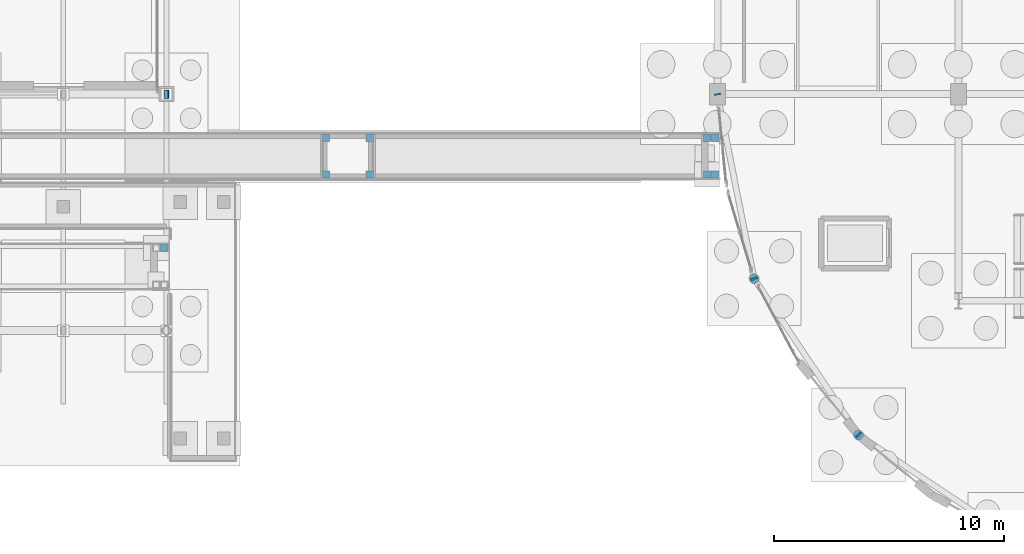
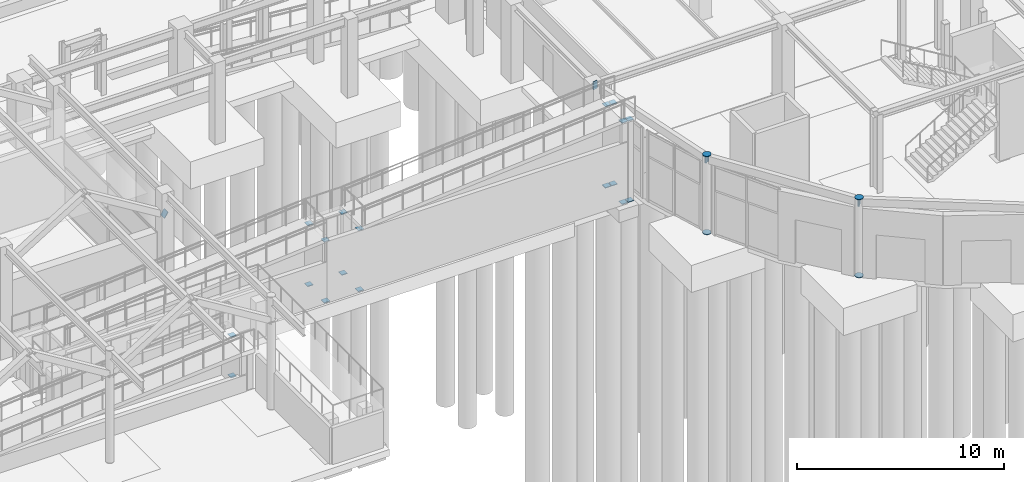
# One storey, part 121 of 160: 28 discrete accessories.
"""IFC4 building model written with IfcOpenShell, lengths in metres."""

import ifcopenshell
import ifcopenshell.guid

model = None  # the IFC model being written
_history = None  # IfcOwnerHistory: only IFC2X3 demands one
_inside = {}  # id of a spatial element -> (the spatial element, [elements in it])
_under = {}  # id of a project, library or spatial element -> (it, [spatial elements below it])
_declared = {}  # id of a project -> (the project, [libraries it declares])
_typed = {}  # id of a type object -> (the type object, [elements of that type])
_made_of = {}  # id of a material, layer set ... -> (it, [elements and type objects made of it])


def new_model(schema):
    """Start an empty IFC model of exactly this schema.

    Asked for "IFC4X3", IfcOpenShell would pick the latest addendum, in which some entities
    have other attributes; the version numbers below select the first issue.
    IFC2X3 requires an IfcOwnerHistory on every rooted entity: one is made here for all.
    """
    global model, _history
    if schema == "IFC4X3":
        model = ifcopenshell.file(schema_version=(4, 3, 0, 0))
    else:
        model = ifcopenshell.file(schema=schema)
    _inside.clear()
    _under.clear()
    _declared.clear()
    _typed.clear()
    _made_of.clear()
    _history = None
    if model.schema == "IFC2X3":
        org = make("IfcOrganization", Name="unknown")
        user = make(
            "IfcPersonAndOrganization",
            ThePerson=make("IfcPerson", FamilyName="unknown"),
            TheOrganization=org,
        )
        app = make(
            "IfcApplication",
            ApplicationDeveloper=org,
            Version="unknown",
            ApplicationFullName="unknown",
            ApplicationIdentifier="unknown",
        )
        _history = make(
            "IfcOwnerHistory",
            OwningUser=user,
            OwningApplication=app,
            ChangeAction="ADDED",
            CreationDate=0,
        )
    return model


def make(cls, **values):
    """One entity of the class cls with the attributes given. An attribute that is None is left unset."""
    return model.create_entity(
        cls, **{name: value for name, value in values.items() if value is not None}
    )


def rooted(cls, **values):
    """An entity with a GlobalId (a new one), such as an element, a storey or a relation."""
    return make(cls, GlobalId=ifcopenshell.guid.new(), OwnerHistory=_history, **values)


def si_unit(unit_type, name, prefix=None):
    """IfcSIUnit, for example si_unit("LENGTHUNIT", "METRE", prefix="MILLI")."""
    return make("IfcSIUnit", UnitType=unit_type, Prefix=prefix, Name=name)


def assignment(units):
    """IfcUnitAssignment: the units of a project."""
    return None if units is None else make("IfcUnitAssignment", Units=units)


def point(xyz):
    """IfcCartesianPoint."""
    return None if xyz is None else make("IfcCartesianPoint", Coordinates=xyz)


def direction(xyz):
    """IfcDirection."""
    return None if xyz is None else make("IfcDirection", DirectionRatios=xyz)


def frame(location, z_axis=None, x_axis=None):
    """IfcAxis2Placement3D, a coordinate frame: its origin and axes. An axis left out is left unset."""
    return make(
        "IfcAxis2Placement3D",
        Location=point(location),
        Axis=direction(z_axis),
        RefDirection=direction(x_axis),
    )


def frame_2d(location, x_axis=None):
    """IfcAxis2Placement2D, a coordinate frame in the plane: its origin and x axis."""
    return make(
        "IfcAxis2Placement2D", Location=point(location), RefDirection=direction(x_axis)
    )


def origin():
    """The frame at (0, 0, 0) with its axes left unset."""
    return frame((0.0, 0.0, 0.0))


def origin_2d():
    """The frame at (0, 0) in the plane with its x axis left unset."""
    return frame_2d((0.0, 0.0))


def place(relative_to, where):
    """IfcLocalPlacement: puts the frame where relative to a parent placement (None: the world)."""
    return make(
        "IfcLocalPlacement", PlacementRelTo=relative_to, RelativePlacement=where
    )


def context(
    kind, dimensions, precision=None, world=None, true_north=None, identifier=None
):
    """IfcGeometricRepresentationContext, for example the 3D "Model" context."""
    return make(
        "IfcGeometricRepresentationContext",
        ContextIdentifier=identifier,
        ContextType=kind,
        CoordinateSpaceDimension=dimensions,
        Precision=precision,
        WorldCoordinateSystem=world,
        TrueNorth=true_north,
    )


def subcontext(parent, identifier, kind, view, scale=None):
    """IfcGeometricRepresentationSubContext, for example "Body" below "Model"."""
    return make(
        "IfcGeometricRepresentationSubContext",
        ContextIdentifier=identifier,
        ContextType=kind,
        ParentContext=parent,
        TargetScale=scale,
        TargetView=view,
    )


def project(units=None, contexts=None):
    """IfcProject with its units and contexts."""
    return rooted(
        "IfcProject",
        Name="project",
        RepresentationContexts=contexts,
        UnitsInContext=assignment(units),
    )


def spatial(cls, under=None, at=None, **own):
    """A site, building, storey or space (cls), placed at a placement, below another one or the project."""
    s = rooted(cls, ObjectPlacement=at, **own)
    if under is not None:
        _under.setdefault(under.id(), (under, []))[1].append(s)
    return s


def profile(cls, at=None, kind="AREA", **sizes):
    """A parametric profile (cls). Its sizes go by their IFC names, for example OverallWidth=200.0."""
    return make(cls, ProfileType=kind, Position=at, **sizes)


def rectangle(**sizes):
    """IfcRectangleProfileDef."""
    return profile("IfcRectangleProfileDef", **sizes)


def circle(**sizes):
    """IfcCircleProfileDef."""
    return profile("IfcCircleProfileDef", **sizes)


def extrude(swept, where, along, depth):
    """IfcExtrudedAreaSolid: the profile swept, set in the frame where, extruded along a direction by depth."""
    return make(
        "IfcExtrudedAreaSolid",
        SweptArea=swept,
        Position=where,
        ExtrudedDirection=direction(along),
        Depth=depth,
    )


def shape(context_of_items, identifier, shape_type, items):
    """IfcShapeRepresentation: the items that make up one representation, for example the "Body"."""
    return make(
        "IfcShapeRepresentation",
        ContextOfItems=context_of_items,
        RepresentationIdentifier=identifier,
        RepresentationType=shape_type,
        Items=items,
    )


def material(Name=None, Category=None):
    """IfcMaterial."""
    return make("IfcMaterial", Name=Name, Category=Category)


def made_of(thing, what):
    """Note that an element or type object is made of a material, layer set ...; save() writes the relation."""
    if what is not None:
        _made_of.setdefault(what.id(), (what, []))[1].append(thing)
    return thing


def element(
    cls,
    number,
    at=None,
    inside=None,
    cuts=None,
    type_object=None,
    material=None,
    context=None,
    identifier="Body",
    shape_type=None,
    held_by="IfcProductDefinitionShape",
    body=None,
    shapes=None,
    **own,
):
    """One element of the class cls, such as IfcWall. Its Tag is "e" and its number.

    at: its placement. inside: the storey or other place that contains it. cuts: it is an
    opening in that element (IfcRelVoidsElement). A single representation is given by context,
    identifier, shape_type and body (its items); several are given by shapes. held_by: the class
    of the entity that holds the representations. save() writes the other relations.
    """
    e = rooted(cls, Tag="e%d" % number, ObjectPlacement=at, **own)
    if body is not None:
        shapes = [shape(context, identifier, shape_type, body)]
    if shapes is not None:
        e.Representation = make(held_by, Representations=shapes)
    if inside is not None:
        _inside.setdefault(inside.id(), (inside, []))[1].append(e)
    if cuts is not None:
        rooted(
            "IfcRelVoidsElement", RelatingBuildingElement=cuts, RelatedOpeningElement=e
        )
    if type_object is not None:
        _typed.setdefault(type_object.id(), (type_object, []))[1].append(e)
    return made_of(e, material)


def aggregate(whole, parts):
    """IfcRelAggregates: a whole, such as a stair, and the parts it consists of."""
    return rooted("IfcRelAggregates", RelatingObject=whole, RelatedObjects=parts)


def save(model, path):
    """Write the relations noted so far, then the file.

    IfcRelAggregates (storeys below a building ...), IfcRelContainedInSpatialStructure (elements
    in a storey), IfcRelDefinesByType, IfcRelAssociatesMaterial and IfcRelDeclares: one each for
    every whole, place, type object, material and project.
    """
    for whole, parts in _under.values():
        aggregate(whole, parts)
    for where, things in _inside.values():
        rooted(
            "IfcRelContainedInSpatialStructure",
            RelatedElements=things,
            RelatingStructure=where,
        )
    for kind, things in _typed.values():
        rooted("IfcRelDefinesByType", RelatedObjects=things, RelatingType=kind)
    for what, things in _made_of.values():
        rooted("IfcRelAssociatesMaterial", RelatedObjects=things, RelatingMaterial=what)
    for by, libraries in _declared.values():
        rooted("IfcRelDeclares", RelatingContext=by, RelatedDefinitions=libraries)
    model.write(path)


model = new_model("IFC4")

# Units and contexts
model_context = context("Model", 3, precision=1e-05, world=origin(), true_north=direction((0.0, 1.0)))
body_context = subcontext(model_context, "Body", "Model", "MODEL_VIEW")
ifc_project = project(units=[si_unit("LENGTHUNIT", "METRE"), si_unit("AREAUNIT", "SQUARE_METRE"), si_unit("VOLUMEUNIT", "CUBIC_METRE"), si_unit("PLANEANGLEUNIT", "RADIAN"), si_unit("MASSUNIT", "GRAM", prefix="KILO")], contexts=[model_context])

# Site, building, storey
site_placement = place(None, origin())
site = spatial("IfcSite", under=ifc_project, at=site_placement, CompositionType="ELEMENT")
building_placement = place(site_placement, origin())
building = spatial("IfcBuilding", under=site, at=building_placement, Name="Marlcrest Central Station", CompositionType="ELEMENT")
storey_placement = place(building_placement, origin())
storey = spatial("IfcBuildingStorey", under=building, at=storey_placement, Name="L00", CompositionType="ELEMENT", Elevation=0.0)

# Discrete accessories
ifc_material = material(Name="Steel S355", Category="steel")
discrete_accessory_placement = place(storey_placement, frame((63.0126953125, 22.5, 5.192138671875), z_axis=(-0.851591684043, 0.0, 0.524205688322), x_axis=(0.0, -1.0, 0.0)))
element("IfcDiscreteAccessory", 1, at=discrete_accessory_placement, inside=storey, material=ifc_material, Name="endcap-mem-ST-02-L00-00058-s", ObjectType="END_CAP_PLATE", PredefinedType="BRACKET", context=body_context, shape_type="SweptSolid", body=[
    extrude(rectangle(XDim=0.365966796875, YDim=0.365966796875, at=origin_2d()), origin(), (0.0, 0.0, 1.0), 0.0400390625),
])
for number, where, z_axis, x_axis, name in (
    (2, (88.59912109375, 14.464111328125, -0.014892578125), (0.0, 0.0, 1.0), (1.0, 0.0, 0.0), "endcap-col-SC-10-L00-0787-s"),
    (3, (88.59912109375, 14.464111328125, 4.585205078125), (0.0, 0.0, 1.0), (1.0, 0.0, 0.0), "endcap-col-SC-10-L00-0787-e"),
    (4, (93.15087890625, 7.65087890625, -0.014892578125), (0.0, 0.0, 1.0), (1.0, 0.0, 0.0), "endcap-col-SC-10-L00-0791-s"),
    (5, (93.15087890625, 7.65087890625, 4.585205078125), (0.0, 0.0, 1.0), (1.0, 0.0, 0.0), "endcap-col-SC-10-L00-0791-e"),
):
    element("IfcDiscreteAccessory", number, at=place(storey_placement, frame(where, z_axis=z_axis, x_axis=x_axis)), inside=storey, material=ifc_material, Name=name, ObjectType="END_CAP_PLATE", PredefinedType="BRACKET", context=body_context, shape_type="SweptSolid", body=[
        extrude(circle(Radius=0.211181640625, at=origin_2d()), origin(), (0.0, 0.0, 1.0), 0.0400390625),
    ])
for number, where, z_axis, x_axis, name in (
    (6, (86.9970703125, 22.5146484375, 4.3798828125), (0.19517056122, -0.980769316421, 0.0), (0.980769316421, 0.19517056122, 0.0), "endcap-bm-SP-02-L00-01323-s"),
    (7, (88.59423828125, 14.488525390625, 4.3798828125), (0.19517056122, -0.980769316421, 0.0), (0.980769316421, 0.19517056122, 0.0), "endcap-bm-SP-02-L00-01323-e"),
    (8, (88.5908203125, 14.4765625, 4.3798828125), (0.55551129271, -0.831508991937, 0.0), (0.831508991937, 0.55551129271, 0.0), "endcap-bm-SP-02-L00-01324-s"),
    (9, (93.136962890625, 7.671630859375, 4.3798828125), (0.55551129271, -0.831508991937, 0.0), (0.831508991937, 0.55551129271, 0.0), "endcap-bm-SP-02-L00-01324-e"),
    (10, (93.138427734375, 7.6591796875, 4.3798828125), (0.831508991937, -0.55551129271, 0.0), (0.55551129271, 0.831508991937, 0.0), "endcap-bm-SP-02-L00-01325-s"),
):
    element("IfcDiscreteAccessory", number, at=place(storey_placement, frame(where, z_axis=z_axis, x_axis=x_axis)), inside=storey, material=ifc_material, Name=name, ObjectType="END_CAP_PLATE", PredefinedType="BRACKET", context=body_context, shape_type="SweptSolid", body=[
        extrude(rectangle(XDim=0.26611328125, YDim=0.466064453125, at=origin_2d()), origin(), (0.0, 0.0, 1.0), 0.0400390625),
    ])
for number, where, z_axis, x_axis, name in (
    (11, (62.89990234375, 15.800048828125, -0.264892578125), (0.0, 0.0, 1.0), (1.0, 0.0, 0.0), "endcap-ramp-01-ldcol-3-629-158-s"),
    (12, (62.89990234375, 15.800048828125, 2.125), (0.0, 0.0, 1.0), (1.0, 0.0, 0.0), "endcap-ramp-01-ldcol-3-629-158-e"),
    (13, (69.949951171875, 19.0, -0.264892578125), (0.0, 0.0, 1.0), (1.0, 0.0, 0.0), "endcap-ramp-02-ldcol-2-699-190-s"),
    (14, (69.949951171875, 19.0, 3.3251953125), (0.0, 0.0, 1.0), (1.0, 0.0, 0.0), "endcap-ramp-02-ldcol-2-699-190-e"),
    (15, (69.949951171875, 20.60009765625, -0.264892578125), (0.0, 0.0, 1.0), (1.0, 0.0, 0.0), "endcap-ramp-02-ldcol-2-699-206-s"),
    (16, (69.949951171875, 20.60009765625, 3.3251953125), (0.0, 0.0, 1.0), (1.0, 0.0, 0.0), "endcap-ramp-02-ldcol-2-699-206-e"),
    (17, (71.85009765625, 19.0, -0.264892578125), (0.0, 0.0, 1.0), (1.0, 0.0, 0.0), "endcap-ramp-02-ldcol-2-718-190-s"),
    (18, (71.85009765625, 19.0, 3.3251953125), (0.0, 0.0, 1.0), (1.0, 0.0, 0.0), "endcap-ramp-02-ldcol-2-718-190-e"),
    (19, (71.85009765625, 20.60009765625, -0.264892578125), (0.0, 0.0, 1.0), (1.0, 0.0, 0.0), "endcap-ramp-02-ldcol-2-718-206-s"),
    (20, (71.85009765625, 20.60009765625, 3.3251953125), (0.0, 0.0, 1.0), (1.0, 0.0, 0.0), "endcap-ramp-02-ldcol-2-718-206-e"),
    (21, (86.550048828125, 19.0, -0.264892578125), (0.0, 0.0, 1.0), (1.0, 0.0, 0.0), "endcap-ramp-02-ldcol-3-865-190-s"),
    (22, (86.550048828125, 19.0, 4.525146484375), (0.0, 0.0, 1.0), (1.0, 0.0, 0.0), "endcap-ramp-02-ldcol-3-865-190-e"),
    (23, (86.550048828125, 20.60009765625, -0.264892578125), (0.0, 0.0, 1.0), (1.0, 0.0, 0.0), "endcap-ramp-02-ldcol-3-865-206-s"),
    (24, (86.550048828125, 20.60009765625, 4.525146484375), (0.0, 0.0, 1.0), (1.0, 0.0, 0.0), "endcap-ramp-02-ldcol-3-865-206-e"),
    (25, (86.89990234375, 19.0, -0.264892578125), (0.0, 0.0, 1.0), (1.0, 0.0, 0.0), "endcap-ramp-02-ldcol-3-869-190-s"),
    (26, (86.89990234375, 19.0, 4.525146484375), (0.0, 0.0, 1.0), (1.0, 0.0, 0.0), "endcap-ramp-02-ldcol-3-869-190-e"),
    (27, (86.89990234375, 20.60009765625, -0.264892578125), (0.0, 0.0, 1.0), (1.0, 0.0, 0.0), "endcap-ramp-02-ldcol-3-869-206-s"),
    (28, (86.89990234375, 20.60009765625, 4.525146484375), (0.0, 0.0, 1.0), (1.0, 0.0, 0.0), "endcap-ramp-02-ldcol-3-869-206-e"),
):
    element("IfcDiscreteAccessory", number, at=place(storey_placement, frame(where, z_axis=z_axis, x_axis=x_axis)), inside=storey, material=ifc_material, Name=name, ObjectType="END_CAP_PLATE", PredefinedType="BRACKET", context=body_context, shape_type="SweptSolid", body=[
        extrude(rectangle(XDim=0.31591796875, YDim=0.31591796875, at=origin_2d()), origin(), (0.0, 0.0, 1.0), 0.0400390625),
    ])

save(model, "model.ifc")
